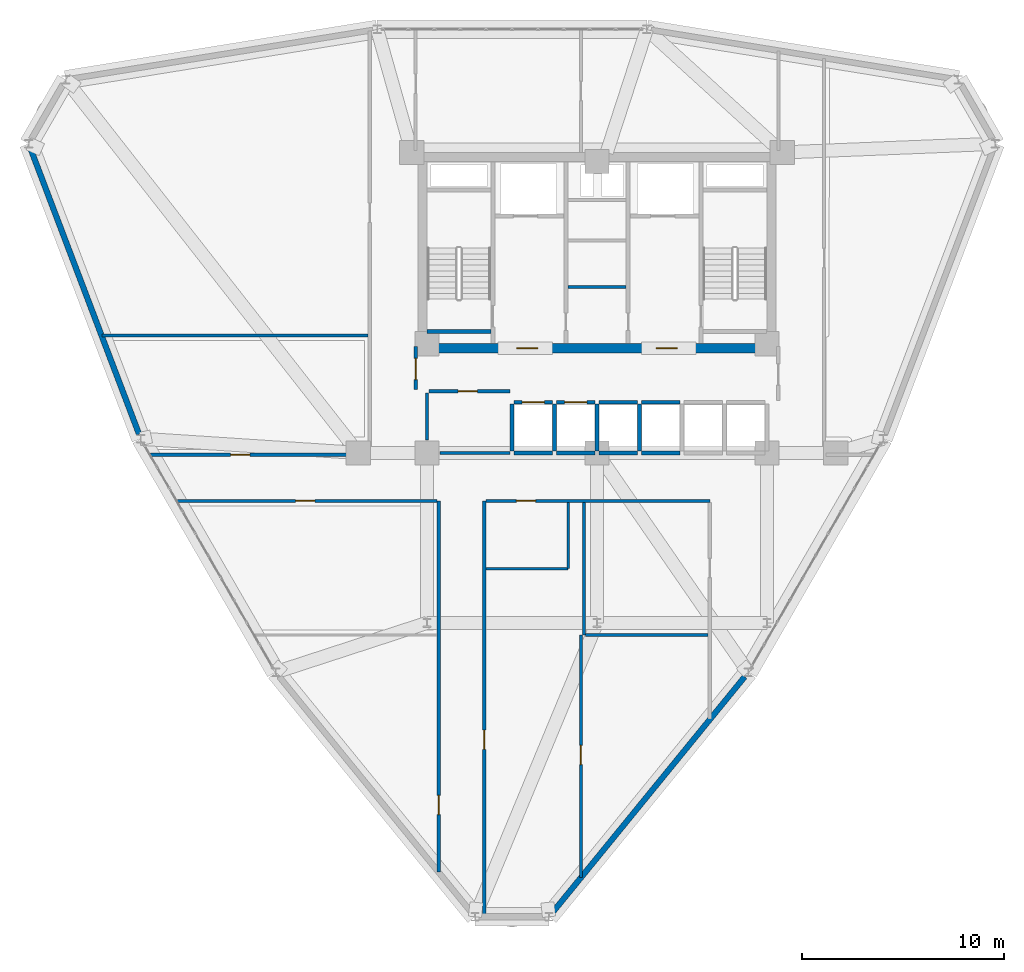
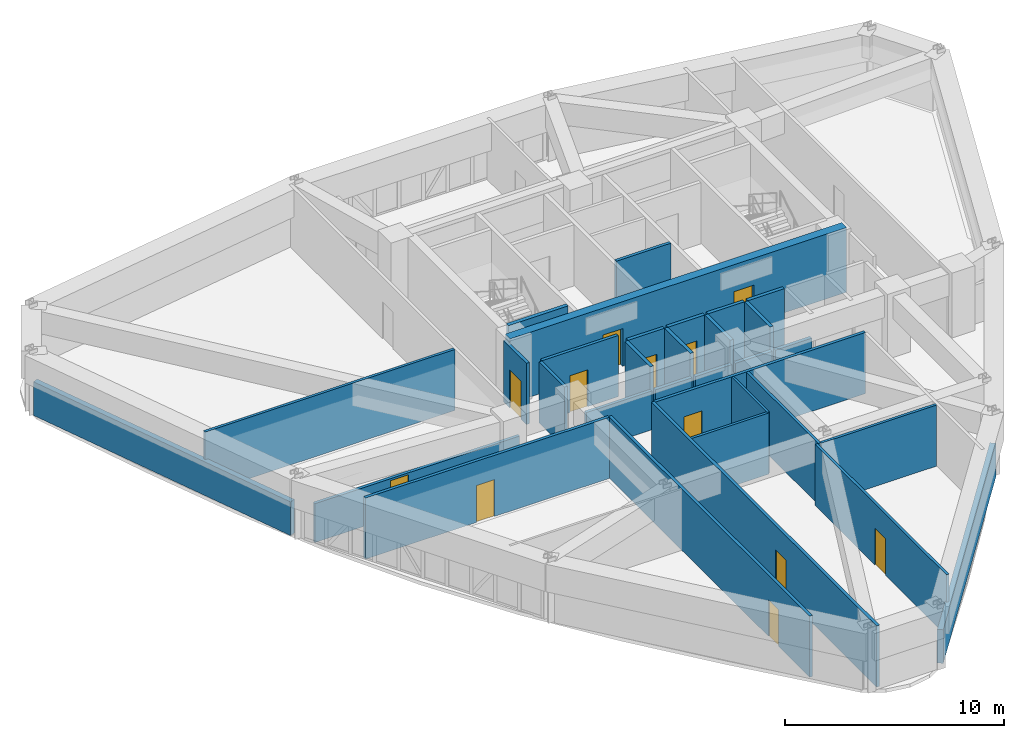
# One storey, part 12 of 16: 32 walls, 12 doors, 12 openings.
"""IFC4 building model written with IfcOpenShell, lengths in metres."""

import ifcopenshell
import ifcopenshell.guid

model = None  # the IFC model being written
_history = None  # IfcOwnerHistory: only IFC2X3 demands one
_inside = {}  # id of a spatial element -> (the spatial element, [elements in it])
_under = {}  # id of a project, library or spatial element -> (it, [spatial elements below it])
_declared = {}  # id of a project -> (the project, [libraries it declares])
_typed = {}  # id of a type object -> (the type object, [elements of that type])
_made_of = {}  # id of a material, layer set ... -> (it, [elements and type objects made of it])


def new_model(schema):
    """Start an empty IFC model of exactly this schema.

    Asked for "IFC4X3", IfcOpenShell would pick the latest addendum, in which some entities
    have other attributes; the version numbers below select the first issue.
    IFC2X3 requires an IfcOwnerHistory on every rooted entity: one is made here for all.
    """
    global model, _history
    if schema == "IFC4X3":
        model = ifcopenshell.file(schema_version=(4, 3, 0, 0))
    else:
        model = ifcopenshell.file(schema=schema)
    _inside.clear()
    _under.clear()
    _declared.clear()
    _typed.clear()
    _made_of.clear()
    _history = None
    if model.schema == "IFC2X3":
        org = make("IfcOrganization", Name="unknown")
        user = make(
            "IfcPersonAndOrganization",
            ThePerson=make("IfcPerson", FamilyName="unknown"),
            TheOrganization=org,
        )
        app = make(
            "IfcApplication",
            ApplicationDeveloper=org,
            Version="unknown",
            ApplicationFullName="unknown",
            ApplicationIdentifier="unknown",
        )
        _history = make(
            "IfcOwnerHistory",
            OwningUser=user,
            OwningApplication=app,
            ChangeAction="ADDED",
            CreationDate=0,
        )
    return model


def make(cls, **values):
    """One entity of the class cls with the attributes given. An attribute that is None is left unset."""
    return model.create_entity(
        cls, **{name: value for name, value in values.items() if value is not None}
    )


def rooted(cls, **values):
    """An entity with a GlobalId (a new one), such as an element, a storey or a relation."""
    return make(cls, GlobalId=ifcopenshell.guid.new(), OwnerHistory=_history, **values)


def si_unit(unit_type, name, prefix=None):
    """IfcSIUnit, for example si_unit("LENGTHUNIT", "METRE", prefix="MILLI")."""
    return make("IfcSIUnit", UnitType=unit_type, Prefix=prefix, Name=name)


def derived_unit(unit_type, elements):
    """IfcDerivedUnit: a product of units, each with its exponent."""
    return make(
        "IfcDerivedUnit",
        Elements=[
            make("IfcDerivedUnitElement", Unit=unit, Exponent=power)
            for unit, power in elements
        ],
        UnitType=unit_type,
    )


def assignment(units):
    """IfcUnitAssignment: the units of a project."""
    return None if units is None else make("IfcUnitAssignment", Units=units)


def point(xyz):
    """IfcCartesianPoint."""
    return None if xyz is None else make("IfcCartesianPoint", Coordinates=xyz)


def direction(xyz):
    """IfcDirection."""
    return None if xyz is None else make("IfcDirection", DirectionRatios=xyz)


def frame(location, z_axis=None, x_axis=None):
    """IfcAxis2Placement3D, a coordinate frame: its origin and axes. An axis left out is left unset."""
    return make(
        "IfcAxis2Placement3D",
        Location=point(location),
        Axis=direction(z_axis),
        RefDirection=direction(x_axis),
    )


def frame_2d(location, x_axis=None):
    """IfcAxis2Placement2D, a coordinate frame in the plane: its origin and x axis."""
    return make(
        "IfcAxis2Placement2D", Location=point(location), RefDirection=direction(x_axis)
    )


def origin():
    """The frame at (0, 0, 0) with its axes left unset."""
    return frame((0.0, 0.0, 0.0))


def place(relative_to, where):
    """IfcLocalPlacement: puts the frame where relative to a parent placement (None: the world)."""
    return make(
        "IfcLocalPlacement", PlacementRelTo=relative_to, RelativePlacement=where
    )


def context(
    kind, dimensions, precision=None, world=None, true_north=None, identifier=None
):
    """IfcGeometricRepresentationContext, for example the 3D "Model" context."""
    return make(
        "IfcGeometricRepresentationContext",
        ContextIdentifier=identifier,
        ContextType=kind,
        CoordinateSpaceDimension=dimensions,
        Precision=precision,
        WorldCoordinateSystem=world,
        TrueNorth=true_north,
    )


def subcontext(parent, identifier, kind, view, scale=None):
    """IfcGeometricRepresentationSubContext, for example "Body" below "Model"."""
    return make(
        "IfcGeometricRepresentationSubContext",
        ContextIdentifier=identifier,
        ContextType=kind,
        ParentContext=parent,
        TargetScale=scale,
        TargetView=view,
    )


def project(units=None, contexts=None):
    """IfcProject with its units and contexts."""
    return rooted(
        "IfcProject",
        Name="project",
        RepresentationContexts=contexts,
        UnitsInContext=assignment(units),
    )


def spatial(cls, under=None, at=None, **own):
    """A site, building, storey or space (cls), placed at a placement, below another one or the project."""
    s = rooted(cls, ObjectPlacement=at, **own)
    if under is not None:
        _under.setdefault(under.id(), (under, []))[1].append(s)
    return s


def profile(cls, at=None, kind="AREA", **sizes):
    """A parametric profile (cls). Its sizes go by their IFC names, for example OverallWidth=200.0."""
    return make(cls, ProfileType=kind, Position=at, **sizes)


def rectangle(**sizes):
    """IfcRectangleProfileDef."""
    return profile("IfcRectangleProfileDef", **sizes)


def extrude(swept, where, along, depth):
    """IfcExtrudedAreaSolid: the profile swept, set in the frame where, extruded along a direction by depth."""
    return make(
        "IfcExtrudedAreaSolid",
        SweptArea=swept,
        Position=where,
        ExtrudedDirection=direction(along),
        Depth=depth,
    )


def shape(context_of_items, identifier, shape_type, items):
    """IfcShapeRepresentation: the items that make up one representation, for example the "Body"."""
    return make(
        "IfcShapeRepresentation",
        ContextOfItems=context_of_items,
        RepresentationIdentifier=identifier,
        RepresentationType=shape_type,
        Items=items,
    )


def material(Name=None, Category=None):
    """IfcMaterial."""
    return make("IfcMaterial", Name=Name, Category=Category)


def layer(
    of_material, thickness, ventilated=None, Name=None, Category=None, Priority=None
):
    """IfcMaterialLayer: one layer of a wall or slab, of a material (None: an air gap)."""
    return make(
        "IfcMaterialLayer",
        Material=of_material,
        LayerThickness=thickness,
        IsVentilated=ventilated,
        Name=Name,
        Category=Category,
        Priority=Priority,
    )


def layer_set(layers, Name=None):
    """IfcMaterialLayerSet."""
    return make("IfcMaterialLayerSet", MaterialLayers=layers, LayerSetName=Name)


def made_of(thing, what):
    """Note that an element or type object is made of a material, layer set ...; save() writes the relation."""
    if what is not None:
        _made_of.setdefault(what.id(), (what, []))[1].append(thing)
    return thing


def type_object(cls, material=None, **own):
    """A type object (cls), such as IfcWallType, which elements share."""
    return made_of(rooted(cls, **own), material)


def element(
    cls,
    number,
    at=None,
    inside=None,
    cuts=None,
    type_object=None,
    material=None,
    context=None,
    identifier="Body",
    shape_type=None,
    held_by="IfcProductDefinitionShape",
    body=None,
    shapes=None,
    **own,
):
    """One element of the class cls, such as IfcWall. Its Tag is "e" and its number.

    at: its placement. inside: the storey or other place that contains it. cuts: it is an
    opening in that element (IfcRelVoidsElement). A single representation is given by context,
    identifier, shape_type and body (its items); several are given by shapes. held_by: the class
    of the entity that holds the representations. save() writes the other relations.
    """
    e = rooted(cls, Tag="e%d" % number, ObjectPlacement=at, **own)
    if body is not None:
        shapes = [shape(context, identifier, shape_type, body)]
    if shapes is not None:
        e.Representation = make(held_by, Representations=shapes)
    if inside is not None:
        _inside.setdefault(inside.id(), (inside, []))[1].append(e)
    if cuts is not None:
        rooted(
            "IfcRelVoidsElement", RelatingBuildingElement=cuts, RelatedOpeningElement=e
        )
    if type_object is not None:
        _typed.setdefault(type_object.id(), (type_object, []))[1].append(e)
    return made_of(e, material)


def fill(opening, filler):
    """IfcRelFillsElement: the door or window that sits in an opening."""
    return rooted(
        "IfcRelFillsElement",
        RelatingOpeningElement=opening,
        RelatedBuildingElement=filler,
    )


def aggregate(whole, parts):
    """IfcRelAggregates: a whole, such as a stair, and the parts it consists of."""
    return rooted("IfcRelAggregates", RelatingObject=whole, RelatedObjects=parts)


def save(model, path):
    """Write the relations noted so far, then the file.

    IfcRelAggregates (storeys below a building ...), IfcRelContainedInSpatialStructure (elements
    in a storey), IfcRelDefinesByType, IfcRelAssociatesMaterial and IfcRelDeclares: one each for
    every whole, place, type object, material and project.
    """
    for whole, parts in _under.values():
        aggregate(whole, parts)
    for where, things in _inside.values():
        rooted(
            "IfcRelContainedInSpatialStructure",
            RelatedElements=things,
            RelatingStructure=where,
        )
    for kind, things in _typed.values():
        rooted("IfcRelDefinesByType", RelatedObjects=things, RelatingType=kind)
    for what, things in _made_of.values():
        rooted("IfcRelAssociatesMaterial", RelatedObjects=things, RelatingMaterial=what)
    for by, libraries in _declared.values():
        rooted("IfcRelDeclares", RelatingContext=by, RelatedDefinitions=libraries)
    model.write(path)


model = new_model("IFC4")

# Units and contexts
model_context = context("Model", 3, precision=1e-05, world=origin(), true_north=direction((0.0, 1.0)))
body_context = subcontext(model_context, "Body", "Model", "MODEL_VIEW")
ifc_project = project(units=[si_unit("LENGTHUNIT", "METRE"), si_unit("AREAUNIT", "SQUARE_METRE"), si_unit("VOLUMEUNIT", "CUBIC_METRE"), si_unit("PLANEANGLEUNIT", "RADIAN"), si_unit("MASSUNIT", "GRAM", prefix="KILO"), derived_unit("THERMALTRANSMITTANCEUNIT", [(si_unit("POWERUNIT", "WATT"), 1), (si_unit("LENGTHUNIT", "METRE"), -2), (si_unit("THERMODYNAMICTEMPERATUREUNIT", "KELVIN"), -1)])], contexts=[model_context])

# Site, building, storey
site_placement = place(None, origin())
site = spatial("IfcSite", under=ifc_project, at=site_placement, CompositionType="ELEMENT")
building_placement = place(site_placement, origin())
building = spatial("IfcBuilding", under=site, at=building_placement, Name="Korsvarv Bourse and Concert Hall", CompositionType="ELEMENT")
storey_placement = place(building_placement, frame((0.0, 0.0, 143.39990234375)))
storey = spatial("IfcBuildingStorey", under=building, at=storey_placement, Name="L36", CompositionType="ELEMENT", Elevation=143.39990234375)

# Wall
ifc_material_1 = material(Name="Concrete C50/60", Category="concrete")
ifc_layer_1 = layer(ifc_material_1, 0.3798828125)
ifc_layer_set_1 = layer_set([ifc_layer_1], Name="Concrete C50/60")
wall_type_1 = type_object("IfcWallType", Name="WL-CORE-380", PredefinedType="SHEAR", material=ifc_layer_set_1)
wall_1_placement = place(storey_placement, frame((27.610107421875, 38.39990234375, 0.0), z_axis=(0.0, 0.0, 1.0), x_axis=(1.0, 0.0, 0.0)))
element("IfcWall", 1, at=wall_1_placement, inside=storey, type_object=wall_type_1, Name="L36 stair shaft structural wall W-L36-ST1-S", PredefinedType="SHEAR", context=body_context, shape_type="SweptSolid", body=[
    extrude(rectangle(XDim=3.139892578125, YDim=0.199951171875, at=frame_2d((1.56982421875, 0.0))), origin(), (0.0, 0.0, 1.0), 3.60009765625),
])

# Wall, openings, doors
ifc_material_2 = material(Name="Concrete C55/67", Category="concrete")
ifc_layer_2 = layer(ifc_material_2, 0.449951171875)
ifc_layer_set_2 = layer_set([ifc_layer_2], Name="Concrete C55/67")
wall_type_2 = type_object("IfcWallType", Name="WL-CORE-450", PredefinedType="SHEAR", material=ifc_layer_set_2)
wall_2_placement = place(storey_placement, frame((27.14990234375, 37.574951171875, 0.0), z_axis=(0.0, 0.0, 1.0), x_axis=(1.0, 0.0, 0.0)))
wall_2 = element("IfcWall", 2, at=wall_2_placement, inside=storey, type_object=wall_type_2, Name="L36 South Core Shear Wall", PredefinedType="SHEAR", context=body_context, shape_type="SweptSolid", body=[
    extrude(rectangle(XDim=17.7001953125, YDim=0.449951171875, at=frame_2d((8.85009765625, 0.0))), origin(), (0.0, 0.0, 1.0), 3.60009765625),
])
opening_1_placement = place(wall_2_placement, frame((4.875, 0.0, 0.0)))
opening_1 = element("IfcOpeningElement", 3, at=opening_1_placement, cuts=wall_2, Name="Opening D-01", PredefinedType="OPENING", context=body_context, shape_type="SweptSolid", body=[
    extrude(rectangle(XDim=1.050048828125, YDim=2.10009765625, at=frame_2d((0.52490234375, 1.050048828125))), frame((0.0, 0.23486328125, 0.0), z_axis=(0.0, -1.0, 0.0), x_axis=(1.0, 0.0, 0.0)), (0.0, 0.0, 1.0), 0.469970703125),
])
opening_2_placement = place(wall_2_placement, frame((11.77490234375, 0.0, 0.0)))
opening_2 = element("IfcOpeningElement", 4, at=opening_2_placement, cuts=wall_2, Name="Opening D-01", PredefinedType="OPENING", context=body_context, shape_type="SweptSolid", body=[
    extrude(rectangle(XDim=1.050048828125, YDim=2.10009765625, at=frame_2d((0.52490234375, 1.050048828125))), frame((0.0, 0.23486328125, 0.0), z_axis=(0.0, -1.0, 0.0), x_axis=(1.0, 0.0, 0.0)), (0.0, 0.0, 1.0), 0.469970703125),
])
ifc_material_3 = material(Name="Steel S355 fire door", Category="steel")
door_type_1 = type_object("IfcDoorType", Name="DR-FD60", OperationType="NOTDEFINED", PredefinedType="DOOR", material=ifc_material_3)
door_1_placement = place(opening_1_placement, frame((1.050048828125, 0.0, 0.0), z_axis=(0.0, 0.0, 1.0), x_axis=(-1.0, 0.0, 0.0)))
door_1 = element("IfcDoor", 5, at=door_1_placement, inside=storey, type_object=door_type_1, Name="L36 firefighting lobby fire door DR-L36-FFLW", OperationType="SINGLE_SWING_LEFT", OverallHeight=2.10009765625, OverallWidth=1.050048828125, PredefinedType="DOOR", context=body_context, shape_type="SweptSolid", body=[
    extrude(rectangle(XDim=1.050048828125, YDim=2.10009765625, at=frame_2d((0.52490234375, 1.050048828125))), frame((0.0, 0.02490234375, 0.0), z_axis=(0.0, -1.0, 0.0), x_axis=(1.0, 0.0, 0.0)), (0.0, 0.0, 1.0), 0.050048828125),
])
fill(opening_1, door_1)
door_2_placement = place(opening_2_placement, frame((1.050048828125, 0.0, 0.0), z_axis=(0.0, 0.0, 1.0), x_axis=(-1.0, 0.0, 0.0)))
door_2 = element("IfcDoor", 6, at=door_2_placement, inside=storey, type_object=door_type_1, Name="L36 firefighting lobby fire door DR-L36-FFLE", OperationType="SINGLE_SWING_RIGHT", OverallHeight=2.10009765625, OverallWidth=1.050048828125, PredefinedType="DOOR", context=body_context, shape_type="SweptSolid", body=[
    extrude(rectangle(XDim=1.050048828125, YDim=2.10009765625, at=frame_2d((0.52490234375, 1.050048828125))), frame((0.0, 0.02490234375, 0.0), z_axis=(0.0, -1.0, 0.0), x_axis=(1.0, 0.0, 0.0)), (0.0, 0.0, 1.0), 0.050048828125),
])
fill(opening_2, door_2)

# Walls
ifc_material_4 = material(Name="Precast concrete C45/55 with fluted terracotta pier", Category="concrete")
ifc_layer_3 = layer(ifc_material_4, 0.280029296875)
ifc_layer_set_3 = layer_set([ifc_layer_3], Name="Precast concrete C45/55 with fluted terracotta pier")
wall_type_3 = type_object("IfcWallType", Name="WL-EXT-TC2", PredefinedType="SOLIDWALL", material=ifc_layer_set_3)
wall_3_placement = place(storey_placement, frame((7.998291015625, 47.45556640625, 0.0), z_axis=(0.0, 0.0, 1.0), x_axis=(0.355302150634, -0.934751508025, 0.0)))
element("IfcWall", 7, at=wall_3_placement, inside=storey, type_object=wall_type_3, Name="L36 terracotta exterior wall EW-L36-B06", PredefinedType="SOLIDWALL", context=body_context, shape_type="SweptSolid", body=[
    extrude(rectangle(XDim=15.116943359375, YDim=0.280029296875, at=frame_2d((7.55859375, 0.0))), origin(), (0.0, 0.0, 1.0), 1.8701171875),
])
wall_4_placement = place(storey_placement, frame((33.81103515625, 9.697509765625, 0.0), z_axis=(0.0, 0.0, 1.0), x_axis=(0.631882431987, 0.775064250334, 0.0)))
element("IfcWall", 8, at=wall_4_placement, inside=storey, type_object=wall_type_3, Name="L36 terracotta exterior wall EW-L36-B10", PredefinedType="SOLIDWALL", context=body_context, shape_type="SweptSolid", body=[
    extrude(rectangle(XDim=15.0185546875, YDim=0.280029296875, at=frame_2d((7.50927734375, 0.0))), origin(), (0.0, 0.0, 1.0), 1.8701171875),
])
ifc_material_5 = material(Name="Double-stud fire-rated acoustic partition", Category="gypsum")
ifc_layer_4 = layer(ifc_material_5, 0.159912109375)
ifc_layer_set_4 = layer_set([ifc_layer_4], Name="Double-stud fire-rated acoustic partition")
wall_type_4 = type_object("IfcWallType", Name="WL-INT-EI60", PredefinedType="PARTITIONING", material=ifc_layer_set_4)
wall_5_placement = place(storey_placement, frame((34.570068359375, 40.60009765625, 0.0), z_axis=(0.0, 0.0, 1.0), x_axis=(1.0, 0.0, 0.0)))
element("IfcWall", 9, at=wall_5_placement, inside=storey, type_object=wall_type_4, Name="L36 interior partition wall W-L36-K1", PredefinedType="PARTITIONING", context=body_context, shape_type="SweptSolid", body=[
    extrude(rectangle(XDim=2.85986328125, YDim=0.159912109375, at=frame_2d((1.429931640625, 0.0))), origin(), (0.0, 0.0, 1.0), 3.400146484375),
])
wall_6_placement = place(storey_placement, frame((28.25, 32.39990234375, 0.0), z_axis=(0.0, 0.0, 1.0), x_axis=(1.0, 0.0, 0.0)))
element("IfcWall", 10, at=wall_6_placement, inside=storey, type_object=wall_type_4, Name="L36 interior partition wall W-L36-FRD-S", PredefinedType="PARTITIONING", context=body_context, shape_type="SweptSolid", body=[
    extrude(rectangle(XDim=3.449951171875, YDim=0.159912109375, at=frame_2d((1.72509765625, 0.0))), origin(), (0.0, 0.0, 1.0), 2.16015625),
])
wall_7_placement = place(storey_placement, frame((27.60009765625, 33.050048828125, 0.0), z_axis=(0.0, 0.0, 1.0), x_axis=(0.0, 1.0, 0.0)))
element("IfcWall", 11, at=wall_7_placement, inside=storey, type_object=wall_type_4, Name="L36 interior partition wall W-L36-FRD-W", PredefinedType="PARTITIONING", context=body_context, shape_type="SweptSolid", body=[
    extrude(rectangle(XDim=2.31005859375, YDim=0.159912109375, at=frame_2d((1.155029296875, 0.0))), origin(), (0.0, 0.0, 1.0), 3.400146484375),
])

# Wall, opening, door
wall_8_placement = place(storey_placement, frame((27.68994140625, 35.449951171875, 0.0), z_axis=(0.0, 0.0, 1.0), x_axis=(1.0, 0.0, 0.0)))
wall_8 = element("IfcWall", 12, at=wall_8_placement, inside=storey, type_object=wall_type_4, Name="L36 interior partition wall W-L36-FRD-N", PredefinedType="PARTITIONING", context=body_context, shape_type="SweptSolid", body=[
    extrude(rectangle(XDim=4.010009765625, YDim=0.159912109375, at=frame_2d((2.0048828125, 0.0))), origin(), (0.0, 0.0, 1.0), 3.400146484375),
])
opening_3_placement = place(wall_8_placement, frame((1.449951171875, 0.0, 0.0)))
opening_3 = element("IfcOpeningElement", 13, at=opening_3_placement, cuts=wall_8, Name="Opening D-03", PredefinedType="OPENING", context=body_context, shape_type="SweptSolid", body=[
    extrude(rectangle(XDim=0.949951171875, YDim=2.050048828125, at=frame_2d((0.47509765625, 1.02490234375))), frame((0.0, 0.08984375, 0.0), z_axis=(0.0, -1.0, 0.0), x_axis=(1.0, 0.0, 0.0)), (0.0, 0.0, 1.0), 0.179931640625),
])
ifc_material_6 = material(Name="Nordic oak acoustic office door", Category="wood")
door_type_2 = type_object("IfcDoorType", Name="DR-INT-1", OperationType="NOTDEFINED", PredefinedType="DOOR", material=ifc_material_6)
door_3_placement = place(opening_3_placement, origin())
door_3 = element("IfcDoor", 14, at=door_3_placement, inside=storey, type_object=door_type_2, Name="L36 interior door DR-L36-FRDN1", OperationType="SINGLE_SWING_LEFT", OverallHeight=2.050048828125, OverallWidth=0.949951171875, PredefinedType="DOOR", context=body_context, shape_type="SweptSolid", body=[
    extrude(rectangle(XDim=0.949951171875, YDim=2.050048828125, at=frame_2d((0.47509765625, 1.02490234375))), frame((0.0, 0.02490234375, 0.0), z_axis=(0.0, -1.0, 0.0), x_axis=(1.0, 0.0, 0.0)), (0.0, 0.0, 1.0), 0.050048828125),
])
fill(opening_3, door_3)

wall_9_placement = place(storey_placement, frame((27.0400390625, 35.5400390625, 0.0), z_axis=(0.0, 0.0, 1.0), x_axis=(0.0, 1.0, 0.0)))
wall_9 = element("IfcWall", 15, at=wall_9_placement, inside=storey, type_object=wall_type_4, Name="L36 interior partition wall W-L36-LOB-WL", PredefinedType="PARTITIONING", context=body_context, shape_type="SweptSolid", body=[
    extrude(rectangle(XDim=2.10986328125, YDim=0.159912109375, at=frame_2d((1.054931640625, 0.0))), origin(), (0.0, 0.0, 1.0), 3.400146484375),
])
opening_4_placement = place(wall_9_placement, frame((0.47998046875, 0.0, 0.0)))
opening_4 = element("IfcOpeningElement", 16, at=opening_4_placement, cuts=wall_9, Name="Opening D-01", PredefinedType="OPENING", context=body_context, shape_type="SweptSolid", body=[
    extrude(rectangle(XDim=1.050048828125, YDim=2.10009765625, at=frame_2d((0.52490234375, 1.050048828125))), frame((0.0, 0.08984375, 0.0), z_axis=(0.0, -1.0, 0.0), x_axis=(1.0, 0.0, 0.0)), (0.0, 0.0, 1.0), 0.179931640625),
])
door_4_placement = place(opening_4_placement, frame((1.050048828125, 0.0, 0.0), z_axis=(0.0, 0.0, 1.0), x_axis=(-1.0, 0.0, 0.0)))
door_4 = element("IfcDoor", 17, at=door_4_placement, inside=storey, type_object=door_type_1, Name="L36 interior door DR-L36-LOBW", OperationType="SINGLE_SWING_RIGHT", OverallHeight=2.10009765625, OverallWidth=1.050048828125, PredefinedType="DOOR", context=body_context, shape_type="SweptSolid", body=[
    extrude(rectangle(XDim=1.050048828125, YDim=2.10009765625, at=frame_2d((0.52490234375, 1.050048828125))), frame((0.0, 0.02490234375, 0.0), z_axis=(0.0, -1.0, 0.0), x_axis=(1.0, 0.0, 0.0)), (0.0, 0.0, 1.0), 0.050048828125),
])
fill(opening_4, door_4)

wall_10_placement = place(storey_placement, frame((30.425048828125, 9.4951171875, 0.0), z_axis=(0.0, 0.0, 1.0), x_axis=(0.0, 1.0, 0.0)))
wall_10 = element("IfcWall", 18, at=wall_10_placement, inside=storey, type_object=wall_type_4, Name="L36 interior partition wall W-L36-TCOR-02", PredefinedType="PARTITIONING", context=body_context, shape_type="SweptSolid", body=[
    extrude(rectangle(XDim=20.534912109375, YDim=0.159912109375, at=frame_2d((10.267578125, 0.0))), origin(), (0.0, 0.0, 1.0), 3.400146484375),
])
opening_5_placement = place(wall_10_placement, frame((8.25244140625, 0.0, 0.0)))
opening_5 = element("IfcOpeningElement", 19, at=opening_5_placement, cuts=wall_10, Name="Opening D-02", PredefinedType="OPENING", context=body_context, shape_type="SweptSolid", body=[
    extrude(rectangle(XDim=0.949951171875, YDim=2.050048828125, at=frame_2d((0.47509765625, 1.02490234375))), frame((0.0, 0.08984375, 0.0), z_axis=(0.0, -1.0, 0.0), x_axis=(1.0, 0.0, 0.0)), (0.0, 0.0, 1.0), 0.179931640625),
])
ifc_material_7 = material(Name="Timber and steel acoustic fire door", Category="wood")
door_type_3 = type_object("IfcDoorType", Name="DR-FD30", OperationType="NOTDEFINED", PredefinedType="DOOR", material=ifc_material_7)
door_5_placement = place(opening_5_placement, origin())
door_5 = element("IfcDoor", 20, at=door_5_placement, inside=storey, type_object=door_type_3, Name="L36 interior door DR-L36-TCOR-MI14", OperationType="SINGLE_SWING_LEFT", OverallHeight=2.050048828125, OverallWidth=0.949951171875, PredefinedType="DOOR", context=body_context, shape_type="SweptSolid", body=[
    extrude(rectangle(XDim=0.949951171875, YDim=2.050048828125, at=frame_2d((0.47509765625, 1.02490234375))), frame((0.0, 0.02490234375, 0.0), z_axis=(0.0, -1.0, 0.0), x_axis=(1.0, 0.0, 0.0)), (0.0, 0.0, 1.0), 0.050048828125),
])
fill(opening_5, door_5)

wall_11_placement = place(storey_placement, frame((28.175048828125, 11.697021484375, 0.0), z_axis=(0.0, 0.0, 1.0), x_axis=(0.0, 1.0, 0.0)))
wall_11 = element("IfcWall", 21, at=wall_11_placement, inside=storey, type_object=wall_type_4, Name="L36 interior partition wall W-L36-TCOR-04", PredefinedType="PARTITIONING", context=body_context, shape_type="SweptSolid", body=[
    extrude(rectangle(XDim=18.3330078125, YDim=0.159912109375, at=frame_2d((9.16650390625, 0.0))), origin(), (0.0, 0.0, 1.0), 3.400146484375),
])
opening_6_placement = place(wall_11_placement, frame((2.82373046875, 0.0, 0.0)))
opening_6 = element("IfcOpeningElement", 22, at=opening_6_placement, cuts=wall_11, Name="Opening D-02", PredefinedType="OPENING", context=body_context, shape_type="SweptSolid", body=[
    extrude(rectangle(XDim=0.949951171875, YDim=2.050048828125, at=frame_2d((0.47509765625, 1.02490234375))), frame((0.0, 0.08984375, 0.0), z_axis=(0.0, -1.0, 0.0), x_axis=(1.0, 0.0, 0.0)), (0.0, 0.0, 1.0), 0.179931640625),
])
door_6_placement = place(opening_6_placement, origin())
door_6 = element("IfcDoor", 23, at=door_6_placement, inside=storey, type_object=door_type_3, Name="L36 interior door DR-L36-TCOR-MI57", OperationType="SINGLE_SWING_LEFT", OverallHeight=2.050048828125, OverallWidth=0.949951171875, PredefinedType="DOOR", context=body_context, shape_type="SweptSolid", body=[
    extrude(rectangle(XDim=0.949951171875, YDim=2.050048828125, at=frame_2d((0.47509765625, 1.02490234375))), frame((0.0, 0.02490234375, 0.0), z_axis=(0.0, -1.0, 0.0), x_axis=(1.0, 0.0, 0.0)), (0.0, 0.0, 1.0), 0.050048828125),
])
fill(opening_6, door_6)

wall_12_placement = place(storey_placement, frame((15.250732421875, 30.02490234375, 0.0), z_axis=(0.0, 0.0, 1.0), x_axis=(1.0, 0.0, 0.0)))
wall_12 = element("IfcWall", 24, at=wall_12_placement, inside=storey, type_object=wall_type_4, Name="L36 interior partition wall W-L36-TCOR-05", PredefinedType="PARTITIONING", context=body_context, shape_type="SweptSolid", body=[
    extrude(rectangle(XDim=12.84228515625, YDim=0.159912109375, at=frame_2d((6.421142578125, 0.0))), origin(), (0.0, 0.0, 1.0), 3.400146484375),
])
opening_7_placement = place(wall_12_placement, frame((5.854248046875, 0.0, 0.0)))
opening_7 = element("IfcOpeningElement", 25, at=opening_7_placement, cuts=wall_12, Name="Opening D-02", PredefinedType="OPENING", context=body_context, shape_type="SweptSolid", body=[
    extrude(rectangle(XDim=0.949951171875, YDim=2.050048828125, at=frame_2d((0.47509765625, 1.02490234375))), frame((0.0, 0.08984375, 0.0), z_axis=(0.0, -1.0, 0.0), x_axis=(1.0, 0.0, 0.0)), (0.0, 0.0, 1.0), 0.179931640625),
])
door_7_placement = place(opening_7_placement, origin())
door_7 = element("IfcDoor", 26, at=door_7_placement, inside=storey, type_object=door_type_3, Name="L36 interior door DR-L36-TCOR-MI48", OperationType="SINGLE_SWING_RIGHT", OverallHeight=2.050048828125, OverallWidth=0.949951171875, PredefinedType="DOOR", context=body_context, shape_type="SweptSolid", body=[
    extrude(rectangle(XDim=0.949951171875, YDim=2.050048828125, at=frame_2d((0.47509765625, 1.02490234375))), frame((0.0, 0.02490234375, 0.0), z_axis=(0.0, -1.0, 0.0), x_axis=(1.0, 0.0, 0.0)), (0.0, 0.0, 1.0), 0.050048828125),
])
fill(opening_7, door_7)

wall_13_placement = place(storey_placement, frame((30.507080078125, 30.02490234375, 0.0), z_axis=(0.0, 0.0, 1.0), x_axis=(1.0, 0.0, 0.0)))
wall_13 = element("IfcWall", 27, at=wall_13_placement, inside=storey, type_object=wall_type_4, Name="L36 interior partition wall W-L36-TCOR-06", PredefinedType="PARTITIONING", context=body_context, shape_type="SweptSolid", body=[
    extrude(rectangle(XDim=11.072998046875, YDim=0.159912109375, at=frame_2d((5.53662109375, 0.0))), origin(), (0.0, 0.0, 1.0), 3.400146484375),
])
opening_8_placement = place(wall_13_placement, frame((1.51220703125, 0.0, 0.0)))
opening_8 = element("IfcOpeningElement", 28, at=opening_8_placement, cuts=wall_13, Name="Opening D-02", PredefinedType="OPENING", context=body_context, shape_type="SweptSolid", body=[
    extrude(rectangle(XDim=0.949951171875, YDim=2.050048828125, at=frame_2d((0.47509765625, 1.02490234375))), frame((0.0, 0.08984375, 0.0), z_axis=(0.0, -1.0, 0.0), x_axis=(1.0, 0.0, 0.0)), (0.0, 0.0, 1.0), 0.179931640625),
])
door_8_placement = place(opening_8_placement, origin())
door_8 = element("IfcDoor", 29, at=door_8_placement, inside=storey, type_object=door_type_3, Name="L36 interior door DR-L36-TCOR-RWC", OperationType="SINGLE_SWING_LEFT", OverallHeight=2.050048828125, OverallWidth=0.949951171875, PredefinedType="DOOR", context=body_context, shape_type="SweptSolid", body=[
    extrude(rectangle(XDim=0.949951171875, YDim=2.050048828125, at=frame_2d((0.47509765625, 1.02490234375))), frame((0.0, 0.02490234375, 0.0), z_axis=(0.0, -1.0, 0.0), x_axis=(1.0, 0.0, 0.0)), (0.0, 0.0, 1.0), 0.050048828125),
])
fill(opening_8, door_8)

wall_14_placement = place(storey_placement, frame((13.9287109375, 32.31494140625, 0.0), z_axis=(0.0, 0.0, 1.0), x_axis=(1.0, 0.0, 0.0)))
wall_14 = element("IfcWall", 30, at=wall_14_placement, inside=storey, type_object=wall_type_4, Name="L36 interior partition wall W-L36-TCOR-07", PredefinedType="PARTITIONING", context=body_context, shape_type="SweptSolid", body=[
    extrude(rectangle(XDim=10.764404296875, YDim=0.159912109375, at=frame_2d((5.38232421875, 0.0))), origin(), (0.0, 0.0, 1.0), 2.16015625),
])
opening_9_placement = place(wall_14_placement, frame((3.964111328125, 0.0, 0.0)))
opening_9 = element("IfcOpeningElement", 31, at=opening_9_placement, cuts=wall_14, Name="Opening D-02", PredefinedType="OPENING", context=body_context, shape_type="SweptSolid", body=[
    extrude(rectangle(XDim=0.949951171875, YDim=2.050048828125, at=frame_2d((0.47509765625, 1.02490234375))), frame((0.0, 0.08984375, 0.0), z_axis=(0.0, -1.0, 0.0), x_axis=(1.0, 0.0, 0.0)), (0.0, 0.0, 1.0), 0.179931640625),
])
door_9_placement = place(opening_9_placement, origin())
door_9 = element("IfcDoor", 32, at=door_9_placement, inside=storey, type_object=door_type_3, Name="L36 interior door DR-L36-TCOR-MI69", OperationType="SINGLE_SWING_RIGHT", OverallHeight=2.050048828125, OverallWidth=0.949951171875, PredefinedType="DOOR", context=body_context, shape_type="SweptSolid", body=[
    extrude(rectangle(XDim=0.949951171875, YDim=2.050048828125, at=frame_2d((0.47509765625, 1.02490234375))), frame((0.0, 0.02490234375, 0.0), z_axis=(0.0, -1.0, 0.0), x_axis=(1.0, 0.0, 0.0)), (0.0, 0.0, 1.0), 0.050048828125),
])
fill(opening_9, door_9)

ifc_material_8 = material(Name="Gypsum-clad autoclaved concrete shaft wall C30/37", Category="concrete")
ifc_layer_5 = layer(ifc_material_8, 0.179931640625)
ifc_layer_set_5 = layer_set([ifc_layer_5], Name="Gypsum-clad autoclaved concrete shaft wall C30/37")
wall_type_5 = type_object("IfcWallType", Name="WL-INT-EI90", PredefinedType="PARTITIONING", material=ifc_layer_set_5)
wall_15_placement = place(storey_placement, frame((31.889892578125, 34.89990234375, 0.0), z_axis=(0.0, 0.0, 1.0), x_axis=(1.0, 0.0, 0.0)))
wall_15 = element("IfcWall", 33, at=wall_15_placement, inside=storey, type_object=wall_type_5, Name="L36 interior partition wall W-L36-SHFN-PM1", PredefinedType="PARTITIONING", context=body_context, shape_type="SweptSolid", body=[
    extrude(rectangle(XDim=1.920166015625, YDim=0.179931640625, at=frame_2d((0.9599609375, 0.0))), origin(), (0.0, 0.0, 1.0), 3.400146484375),
])
opening_10_placement = place(wall_15_placement, frame((0.409912109375, 0.0, 0.0)))
opening_10 = element("IfcOpeningElement", 34, at=opening_10_placement, cuts=wall_15, Name="Opening LD-2", PredefinedType="OPENING", context=body_context, shape_type="SweptSolid", body=[
    extrude(rectangle(XDim=1.10009765625, YDim=2.10009765625, at=frame_2d((0.550048828125, 1.050048828125))), frame((0.0, 0.10009765625, 0.0), z_axis=(0.0, -1.0, 0.0), x_axis=(1.0, 0.0, 0.0)), (0.0, 0.0, 1.0), 0.199951171875),
])
ifc_material_9 = material(Name="Brushed stainless Steel S355 lift landing door", Category="steel")
door_type_4 = type_object("IfcDoorType", Name="DR-LIFT-P", OperationType="DOUBLE_DOOR_SLIDING", PredefinedType="DOOR", material=ifc_material_9)
door_10_placement = place(opening_10_placement, origin())
door_10 = element("IfcDoor", 35, at=door_10_placement, inside=storey, type_object=door_type_4, Name="L36 lift sliding landing door LD-L36-PM1", OperationType="DOUBLE_DOOR_SLIDING", OverallHeight=2.10009765625, OverallWidth=1.10009765625, PredefinedType="DOOR", context=body_context, shape_type="SweptSolid", body=[
    extrude(rectangle(XDim=1.10009765625, YDim=2.10009765625, at=frame_2d((0.550048828125, 1.050048828125))), frame((0.0, 0.02490234375, 0.0), z_axis=(0.0, -1.0, 0.0), x_axis=(1.0, 0.0, 0.0)), (0.0, 0.0, 1.0), 0.050048828125),
])
fill(opening_10, door_10)

# Walls
wall_16_placement = place(storey_placement, frame((31.889892578125, 32.39990234375, 0.0), z_axis=(0.0, 0.0, 1.0), x_axis=(1.0, 0.0, 0.0)))
element("IfcWall", 36, at=wall_16_placement, inside=storey, type_object=wall_type_5, Name="L36 interior partition wall W-L36-SHFS-PM1", PredefinedType="PARTITIONING", context=body_context, shape_type="SweptSolid", body=[
    extrude(rectangle(XDim=1.920166015625, YDim=0.179931640625, at=frame_2d((0.9599609375, 0.0))), origin(), (0.0, 0.0, 1.0), 2.16015625),
])
wall_17_placement = place(storey_placement, frame((31.800048828125, 32.489990234375, 0.0), z_axis=(0.0, 0.0, 1.0), x_axis=(0.0, 1.0, 0.0)))
element("IfcWall", 37, at=wall_17_placement, inside=storey, type_object=wall_type_5, Name="L36 interior partition wall W-L36-SHFW-PM1", PredefinedType="PARTITIONING", context=body_context, shape_type="SweptSolid", body=[
    extrude(rectangle(XDim=2.320068359375, YDim=0.179931640625, at=frame_2d((1.16015625, 0.0))), origin(), (0.0, 0.0, 1.0), 3.400146484375),
])

# Wall, opening, door
wall_18_placement = place(storey_placement, frame((33.989990234375, 34.89990234375, 0.0), z_axis=(0.0, 0.0, 1.0), x_axis=(1.0, 0.0, 0.0)))
wall_18 = element("IfcWall", 38, at=wall_18_placement, inside=storey, type_object=wall_type_5, Name="L36 interior partition wall W-L36-SHFN-PM2", PredefinedType="PARTITIONING", context=body_context, shape_type="SweptSolid", body=[
    extrude(rectangle(XDim=1.919921875, YDim=0.179931640625, at=frame_2d((0.9599609375, 0.0))), origin(), (0.0, 0.0, 1.0), 3.400146484375),
])
opening_11_placement = place(wall_18_placement, frame((0.409912109375, 0.0, 0.0)))
opening_11 = element("IfcOpeningElement", 39, at=opening_11_placement, cuts=wall_18, Name="Opening LD-2", PredefinedType="OPENING", context=body_context, shape_type="SweptSolid", body=[
    extrude(rectangle(XDim=1.10009765625, YDim=2.10009765625, at=frame_2d((0.550048828125, 1.050048828125))), frame((0.0, 0.10009765625, 0.0), z_axis=(0.0, -1.0, 0.0), x_axis=(1.0, 0.0, 0.0)), (0.0, 0.0, 1.0), 0.199951171875),
])
door_11_placement = place(opening_11_placement, origin())
door_11 = element("IfcDoor", 40, at=door_11_placement, inside=storey, type_object=door_type_4, Name="L36 lift sliding landing door LD-L36-PM2", OperationType="DOUBLE_DOOR_SLIDING", OverallHeight=2.10009765625, OverallWidth=1.10009765625, PredefinedType="DOOR", context=body_context, shape_type="SweptSolid", body=[
    extrude(rectangle(XDim=1.10009765625, YDim=2.10009765625, at=frame_2d((0.550048828125, 1.050048828125))), frame((0.0, 0.02490234375, 0.0), z_axis=(0.0, -1.0, 0.0), x_axis=(1.0, 0.0, 0.0)), (0.0, 0.0, 1.0), 0.050048828125),
])
fill(opening_11, door_11)

# Walls
wall_19_placement = place(storey_placement, frame((33.989990234375, 32.39990234375, 0.0), z_axis=(0.0, 0.0, 1.0), x_axis=(1.0, 0.0, 0.0)))
element("IfcWall", 41, at=wall_19_placement, inside=storey, type_object=wall_type_5, Name="L36 interior partition wall W-L36-SHFS-PM2", PredefinedType="PARTITIONING", context=body_context, shape_type="SweptSolid", body=[
    extrude(rectangle(XDim=1.919921875, YDim=0.179931640625, at=frame_2d((0.9599609375, 0.0))), origin(), (0.0, 0.0, 1.0), 2.16015625),
])
wall_20_placement = place(storey_placement, frame((33.89990234375, 32.489990234375, 0.0), z_axis=(0.0, 0.0, 1.0), x_axis=(0.0, 1.0, 0.0)))
element("IfcWall", 42, at=wall_20_placement, inside=storey, type_object=wall_type_5, Name="L36 interior partition wall W-L36-SHFW-PM2", PredefinedType="PARTITIONING", context=body_context, shape_type="SweptSolid", body=[
    extrude(rectangle(XDim=2.320068359375, YDim=0.179931640625, at=frame_2d((1.16015625, 0.0))), origin(), (0.0, 0.0, 1.0), 3.400146484375),
])
wall_21_placement = place(storey_placement, frame((36.090087890625, 34.89990234375, 0.0), z_axis=(0.0, 0.0, 1.0), x_axis=(1.0, 0.0, 0.0)))
element("IfcWall", 43, at=wall_21_placement, inside=storey, type_object=wall_type_5, Name="L36 interior partition wall W-L36-SHFN-PH1", PredefinedType="PARTITIONING", context=body_context, shape_type="SweptSolid", body=[
    extrude(rectangle(XDim=1.919921875, YDim=0.179931640625, at=frame_2d((0.9599609375, 0.0))), origin(), (0.0, 0.0, 1.0), 3.400146484375),
])
wall_22_placement = place(storey_placement, frame((36.090087890625, 32.39990234375, 0.0), z_axis=(0.0, 0.0, 1.0), x_axis=(1.0, 0.0, 0.0)))
element("IfcWall", 44, at=wall_22_placement, inside=storey, type_object=wall_type_5, Name="L36 interior partition wall W-L36-SHFS-PH1", PredefinedType="PARTITIONING", context=body_context, shape_type="SweptSolid", body=[
    extrude(rectangle(XDim=1.919921875, YDim=0.179931640625, at=frame_2d((0.9599609375, 0.0))), origin(), (0.0, 0.0, 1.0), 2.16015625),
])
wall_23_placement = place(storey_placement, frame((36.0, 32.489990234375, 0.0), z_axis=(0.0, 0.0, 1.0), x_axis=(0.0, 1.0, 0.0)))
element("IfcWall", 45, at=wall_23_placement, inside=storey, type_object=wall_type_5, Name="L36 interior partition wall W-L36-SHFW-PH1", PredefinedType="PARTITIONING", context=body_context, shape_type="SweptSolid", body=[
    extrude(rectangle(XDim=2.320068359375, YDim=0.179931640625, at=frame_2d((1.16015625, 0.0))), origin(), (0.0, 0.0, 1.0), 3.400146484375),
])
wall_24_placement = place(storey_placement, frame((38.18994140625, 34.89990234375, 0.0), z_axis=(0.0, 0.0, 1.0), x_axis=(1.0, 0.0, 0.0)))
element("IfcWall", 46, at=wall_24_placement, inside=storey, type_object=wall_type_5, Name="L36 interior partition wall W-L36-SHFN-PH2", PredefinedType="PARTITIONING", context=body_context, shape_type="SweptSolid", body=[
    extrude(rectangle(XDim=1.920166015625, YDim=0.179931640625, at=frame_2d((0.9599609375, 0.0))), origin(), (0.0, 0.0, 1.0), 3.400146484375),
])
wall_25_placement = place(storey_placement, frame((38.18994140625, 32.39990234375, 0.0), z_axis=(0.0, 0.0, 1.0), x_axis=(1.0, 0.0, 0.0)))
element("IfcWall", 47, at=wall_25_placement, inside=storey, type_object=wall_type_5, Name="L36 interior partition wall W-L36-SHFS-PH2", PredefinedType="PARTITIONING", context=body_context, shape_type="SweptSolid", body=[
    extrude(rectangle(XDim=1.920166015625, YDim=0.179931640625, at=frame_2d((0.9599609375, 0.0))), origin(), (0.0, 0.0, 1.0), 2.16015625),
])
wall_26_placement = place(storey_placement, frame((38.10009765625, 32.489990234375, 0.0), z_axis=(0.0, 0.0, 1.0), x_axis=(0.0, 1.0, 0.0)))
element("IfcWall", 48, at=wall_26_placement, inside=storey, type_object=wall_type_5, Name="L36 interior partition wall W-L36-SHFW-PH2", PredefinedType="PARTITIONING", context=body_context, shape_type="SweptSolid", body=[
    extrude(rectangle(XDim=2.320068359375, YDim=0.179931640625, at=frame_2d((1.16015625, 0.0))), origin(), (0.0, 0.0, 1.0), 3.400146484375),
])
ifc_material_10 = material(Name="Demountable acoustic glass and aluminium dealing partition", Category="aluminium")
ifc_layer_6 = layer(ifc_material_10, 0.110107421875)
ifc_layer_set_6 = layer_set([ifc_layer_6], Name="Demountable acoustic glass and aluminium dealing partition")
wall_type_6 = type_object("IfcWallType", Name="WL-INT-MOV", PredefinedType="MOVABLE", material=ifc_layer_set_6)
wall_27_placement = place(storey_placement, frame((34.574951171875, 26.68994140625, 0.0), z_axis=(0.0, 0.0, 1.0), x_axis=(0.0, 1.0, 0.0)))
element("IfcWall", 49, at=wall_27_placement, inside=storey, type_object=wall_type_6, Name="L36 interior partition wall W-L36-TCOR-19", PredefinedType="MOVABLE", context=body_context, shape_type="SweptSolid", body=[
    extrude(rectangle(XDim=3.253173828125, YDim=0.110107421875, at=frame_2d((1.62646484375, 0.0))), origin(), (0.0, 0.0, 1.0), 3.400146484375),
])
ifc_material_11 = material(Name="Insulated steel-stud office acoustic partition", Category="gypsum")
ifc_layer_7 = layer(ifc_material_11, 0.139892578125)
ifc_layer_set_7 = layer_set([ifc_layer_7], Name="Insulated steel-stud office acoustic partition")
wall_type_7 = type_object("IfcWallType", Name="WL-INT-P1", PredefinedType="PARTITIONING", material=ifc_layer_set_7)
wall_28_placement = place(storey_placement, frame((11.534423828125, 38.205078125, 0.0), z_axis=(0.0, 0.0, 1.0), x_axis=(1.0, 0.0, 0.0)))
element("IfcWall", 50, at=wall_28_placement, inside=storey, type_object=wall_type_7, Name="L36 interior partition wall W-L36-TCOR-12", PredefinedType="PARTITIONING", context=body_context, shape_type="SweptSolid", body=[
    extrude(rectangle(XDim=13.15869140625, YDim=0.139892578125, at=frame_2d((6.579345703125, 0.0))), origin(), (0.0, 0.0, 1.0), 3.400146484375),
])

# Wall, opening, door
wall_29_placement = place(storey_placement, frame((35.205078125, 11.42724609375, 0.0), z_axis=(0.0, 0.0, 1.0), x_axis=(0.0, 1.0, 0.0)))
wall_29 = element("IfcWall", 51, at=wall_29_placement, inside=storey, type_object=wall_type_7, Name="L36 interior partition wall W-L36-TCOR-13", PredefinedType="PARTITIONING", context=body_context, shape_type="SweptSolid", body=[
    extrude(rectangle(XDim=11.962646484375, YDim=0.139892578125, at=frame_2d((5.9814453125, 0.0))), origin(), (0.0, 0.0, 1.0), 3.400146484375),
])
opening_12_placement = place(wall_29_placement, frame((5.57275390625, 0.0, 0.0)))
opening_12 = element("IfcOpeningElement", 52, at=opening_12_placement, cuts=wall_29, Name="Opening D-03", PredefinedType="OPENING", context=body_context, shape_type="SweptSolid", body=[
    extrude(rectangle(XDim=0.949951171875, YDim=2.050048828125, at=frame_2d((0.47509765625, 1.02490234375))), frame((0.0, 0.080078125, 0.0), z_axis=(0.0, -1.0, 0.0), x_axis=(1.0, 0.0, 0.0)), (0.0, 0.0, 1.0), 0.159912109375),
])
door_12_placement = place(opening_12_placement, origin())
door_12 = element("IfcDoor", 53, at=door_12_placement, inside=storey, type_object=door_type_2, Name="L36 interior door DR-L36-TCOR-MI35", OperationType="SINGLE_SWING_LEFT", OverallHeight=2.050048828125, OverallWidth=0.949951171875, PredefinedType="DOOR", context=body_context, shape_type="SweptSolid", body=[
    extrude(rectangle(XDim=0.949951171875, YDim=2.050048828125, at=frame_2d((0.47509765625, 1.02490234375))), frame((0.0, 0.02490234375, 0.0), z_axis=(0.0, -1.0, 0.0), x_axis=(1.0, 0.0, 0.0)), (0.0, 0.0, 1.0), 0.050048828125),
])
fill(opening_12, door_12)

# Walls
wall_30_placement = place(storey_placement, frame((35.364990234375, 23.389892578125, 0.0), z_axis=(0.0, 0.0, 1.0), x_axis=(0.0, 1.0, 0.0)))
element("IfcWall", 54, at=wall_30_placement, inside=storey, type_object=wall_type_7, Name="L36 interior partition wall W-L36-TCOR-15", PredefinedType="PARTITIONING", context=body_context, shape_type="SweptSolid", body=[
    extrude(rectangle(XDim=6.55322265625, YDim=0.139892578125, at=frame_2d((3.276611328125, 0.0))), origin(), (0.0, 0.0, 1.0), 3.400146484375),
])
wall_31_placement = place(storey_placement, frame((35.43701171875, 23.405029296875, 0.0), z_axis=(0.0, 0.0, 1.0), x_axis=(1.0, 0.0, 0.0)))
element("IfcWall", 55, at=wall_31_placement, inside=storey, type_object=wall_type_7, Name="L36 interior partition wall W-L36-TCOR-16", PredefinedType="PARTITIONING", context=body_context, shape_type="SweptSolid", body=[
    extrude(rectangle(XDim=6.055908203125, YDim=0.139892578125, at=frame_2d((3.02783203125, 0.0))), origin(), (0.0, 0.0, 1.0), 3.400146484375),
])
wall_32_placement = place(storey_placement, frame((30.507080078125, 26.675048828125, 0.0), z_axis=(0.0, 0.0, 1.0), x_axis=(1.0, 0.0, 0.0)))
element("IfcWall", 56, at=wall_32_placement, inside=storey, type_object=wall_type_7, Name="L36 interior partition wall W-L36-TCOR-18", PredefinedType="PARTITIONING", context=body_context, shape_type="SweptSolid", body=[
    extrude(rectangle(XDim=4.052978515625, YDim=0.139892578125, at=frame_2d((2.0263671875, 0.0))), origin(), (0.0, 0.0, 1.0), 3.400146484375),
])

save(model, "model.ifc")
